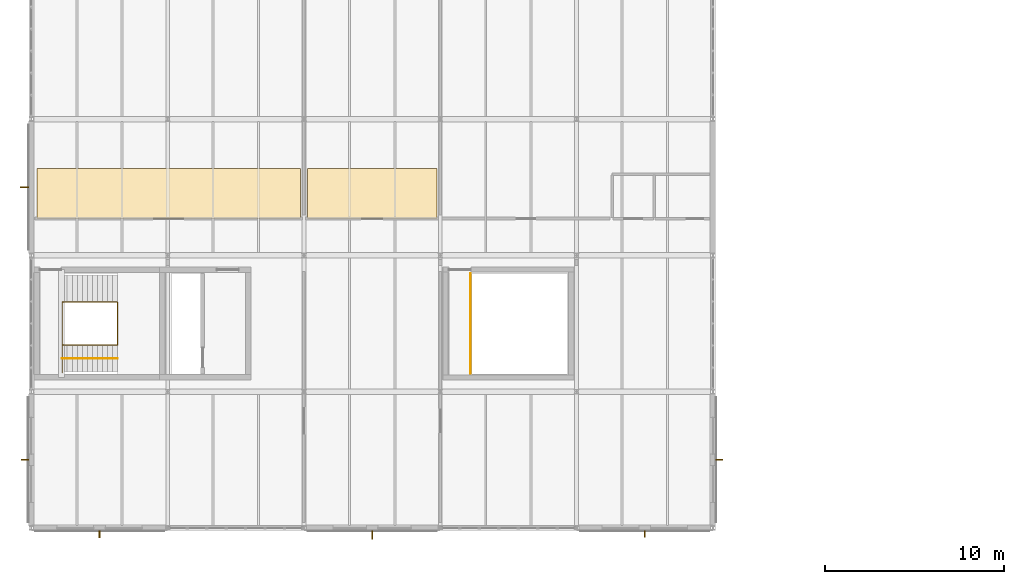
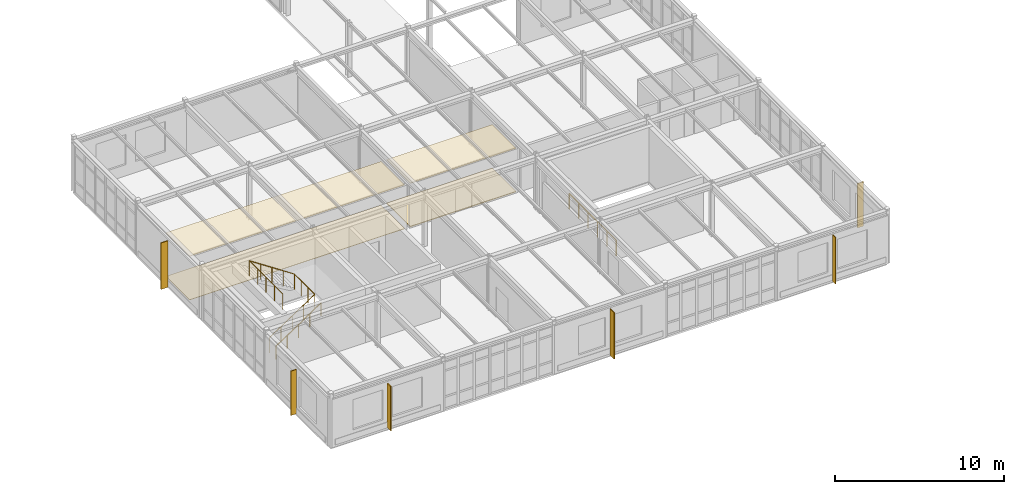
# One storey, part 178 of 189: 6 shading devices, 4 coverings, 3 railings.
"""IFC4 building model written with IfcOpenShell, lengths in metres."""

from ifc_helpers import new_model, si_unit, direction, frame, origin, origin_2d, place, context, subcontext, project, spatial, polyline, rectangle, circle, outline, extrude, material, layer, layer_set, type_object, element, save


model = new_model("IFC4")

# Units and contexts
model_context = context("Model", 3, precision=1e-05, world=origin(), true_north=direction((0.0, 1.0)))
body_context = subcontext(model_context, "Body", "Model", "MODEL_VIEW")
ifc_project = project(units=[si_unit("LENGTHUNIT", "METRE"), si_unit("AREAUNIT", "SQUARE_METRE"), si_unit("VOLUMEUNIT", "CUBIC_METRE"), si_unit("PLANEANGLEUNIT", "RADIAN"), si_unit("MASSUNIT", "GRAM", prefix="KILO")], contexts=[model_context])

# Site, building, storey
site_placement = place(None, origin())
site = spatial("IfcSite", under=ifc_project, at=site_placement, CompositionType="ELEMENT")
building_placement = place(site_placement, origin())
building = spatial("IfcBuilding", under=site, at=building_placement, Name="Montecoro Central Library", CompositionType="ELEMENT")
storey_placement = place(building_placement, frame((0.0, 0.0, 9.179931640625)))
storey = spatial("IfcBuildingStorey", under=building, at=storey_placement, Name="L02", CompositionType="ELEMENT", Elevation=9.179931640625)

# Coverings
ifc_material_1 = material(Name="Acoustic perforated mineral ceiling")
ifc_layer_1 = layer(ifc_material_1, 0.02490234375)
ifc_layer_set_1 = layer_set([ifc_layer_1], Name="Acoustic perforated mineral ceiling")
covering_type_1 = type_object("IfcCoveringType", Name="COV-CLG-01", PredefinedType="CEILING", material=ifc_layer_set_1)
covering_1_placement = place(storey_placement, frame((0.0, 0.0, 3.155029296875)))
element("IfcCovering", 1, at=covering_1_placement, inside=storey, type_object=covering_type_1, Name="CLG-SP-V3-L02-R1P1", PredefinedType="CEILING", context=body_context, shape_type="SweptSolid", body=[
    extrude(outline(polyline([(5.320068359375, 22.25), (20.010009765625, 22.25), (20.010009765625, 25.050048828125), (5.320068359375, 25.050048828125), (5.320068359375, 22.25)])), origin(), (0.0, 0.0, 1.0), 0.025146484375),
])
ifc_layer_2 = layer(ifc_material_1, 0.048095703125)
ifc_layer_set_2 = layer_set([ifc_layer_2], Name="Acoustic perforated mineral ceiling")
covering_type_2 = type_object("IfcCoveringType", Name="COV-CLG-04", PredefinedType="CEILING", material=ifc_layer_set_2)
covering_2_placement = place(storey_placement, frame((0.0, 0.0, 3.132080078125)))
element("IfcCovering", 2, at=covering_2_placement, inside=storey, type_object=covering_type_2, Name="CLG-SP-V3-L02-R2P2", PredefinedType="CEILING", context=body_context, shape_type="SweptSolid", body=[
    extrude(outline(polyline([(20.389892578125, 22.25), (27.610107421875, 22.25), (27.610107421875, 25.050048828125), (20.389892578125, 25.050048828125), (20.389892578125, 22.25)])), origin(), (0.0, 0.0, 1.0), 0.048095703125),
])
ifc_material_2 = material(Name="Neapolitan brass-inlaid terrazzo flooring")
ifc_layer_3 = layer(ifc_material_2, 0.028076171875)
ifc_layer_set_3 = layer_set([ifc_layer_3], Name="Neapolitan brass-inlaid terrazzo flooring")
covering_type_3 = type_object("IfcCoveringType", Name="COV-FLR-01", PredefinedType="FLOORING", material=ifc_layer_set_3)
covering_3_placement = place(storey_placement, origin())
element("IfcCovering", 3, at=covering_3_placement, inside=storey, type_object=covering_type_3, Name="FLR-SP-V3-L02-R1P1", PredefinedType="FLOORING", context=body_context, shape_type="SweptSolid", body=[
    extrude(outline(polyline([(5.320068359375, 22.25), (20.010009765625, 22.25), (20.010009765625, 25.050048828125), (5.320068359375, 25.050048828125), (5.320068359375, 22.25)])), origin(), (0.0, 0.0, 1.0), 0.028076171875),
])
ifc_layer_4 = layer(ifc_material_2, 0.052001953125)
ifc_layer_set_4 = layer_set([ifc_layer_4], Name="Neapolitan brass-inlaid terrazzo flooring")
covering_type_4 = type_object("IfcCoveringType", Name="COV-FLR-04", PredefinedType="FLOORING", material=ifc_layer_set_4)
covering_4_placement = place(storey_placement, origin())
element("IfcCovering", 4, at=covering_4_placement, inside=storey, type_object=covering_type_4, Name="FLR-SP-V3-L02-R2P2", PredefinedType="FLOORING", context=body_context, shape_type="SweptSolid", body=[
    extrude(outline(polyline([(20.389892578125, 22.25), (27.610107421875, 22.25), (27.610107421875, 25.050048828125), (20.389892578125, 25.050048828125), (20.389892578125, 22.25)])), origin(), (0.0, 0.0, 1.0), 0.052001953125),
])

# Railings
ifc_material_3 = material(Name="Brushed stainless steel and bronze balustrade", Category="steel")
railing_type_1 = type_object("IfcRailingType", Name="GRD-INT-110", PredefinedType="GUARDRAIL", material=ifc_material_3)
railing_1_placement = place(storey_placement, frame((6.719970703125, 15.199951171875, 0.0)))
element("IfcRailing", 5, at=railing_1_placement, inside=storey, type_object=railing_type_1, Name="C4-L02-STR-GRD", PredefinedType="GUARDRAIL", context=body_context, shape_type="SweptSolid", body=[
    extrude(circle(Radius=0.02392578125, at=origin_2d()), frame((0.0, 0.0, 1.09619140625), z_axis=(0.833713881912, 0.0, 0.552196670677), x_axis=(0.0, 1.0, 0.0)), (0.0, 0.0, 1.0), 3.6943359375),
    extrude(circle(Radius=0.02392578125, at=origin_2d()), frame((3.080078125, 0.0, 3.13623046875), z_axis=(0.0, 1.0, 0.0), x_axis=(-1.0, 0.0, 0.0)), (0.0, 0.0, 1.0), 2.400146484375),
    extrude(circle(Radius=0.02392578125, at=origin_2d()), frame((3.080078125, 2.400146484375, 3.13623046875), z_axis=(-0.833713881912, 0.0, 0.552196670677), x_axis=(0.0, -1.0, 0.0)), (0.0, 0.0, 1.0), 3.6943359375),
    extrude(circle(Radius=0.02392578125, at=origin_2d()), frame((0.0, 2.400146484375, 5.17626953125), z_axis=(0.0, -1.0, 0.0), x_axis=(1.0, 0.0, 0.0)), (0.0, 0.0, 1.0), 3.9501953125),
    extrude(circle(Radius=0.02099609375, at=origin_2d()), origin(), (0.0, 0.0, 1.0), 1.072021484375),
    extrude(circle(Radius=0.02099609375, at=origin_2d()), frame((0.77001953125, 0.0, 0.510009765625)), (0.0, 0.0, 1.0), 1.072021484375),
    extrude(circle(Radius=0.02099609375, at=origin_2d()), frame((1.5400390625, 0.0, 1.02001953125)), (0.0, 0.0, 1.0), 1.072021484375),
    extrude(circle(Radius=0.02099609375, at=origin_2d()), frame((2.31005859375, 0.0, 1.530029296875)), (0.0, 0.0, 1.0), 1.072021484375),
    extrude(circle(Radius=0.02099609375, at=origin_2d()), frame((3.080078125, 0.0, 2.0400390625)), (0.0, 0.0, 1.0), 1.072021484375),
    extrude(circle(Radius=0.02099609375, at=origin_2d()), frame((3.080078125, 0.800048828125, 2.0400390625)), (0.0, 0.0, 1.0), 1.072021484375),
    extrude(circle(Radius=0.02099609375, at=origin_2d()), frame((3.080078125, 1.60009765625, 2.0400390625)), (0.0, 0.0, 1.0), 1.072021484375),
    extrude(circle(Radius=0.02099609375, at=origin_2d()), frame((3.080078125, 2.400146484375, 2.0400390625)), (0.0, 0.0, 1.0), 1.072021484375),
    extrude(circle(Radius=0.02099609375, at=origin_2d()), frame((2.31005859375, 2.400146484375, 2.550048828125)), (0.0, 0.0, 1.0), 1.072021484375),
    extrude(circle(Radius=0.02099609375, at=origin_2d()), frame((1.5400390625, 2.400146484375, 3.06005859375)), (0.0, 0.0, 1.0), 1.072021484375),
    extrude(circle(Radius=0.02099609375, at=origin_2d()), frame((0.77001953125, 2.400146484375, 3.570068359375)), (0.0, 0.0, 1.0), 1.072021484375),
    extrude(circle(Radius=0.02099609375, at=origin_2d()), frame((0.0, 2.400146484375, 4.080078125)), (0.0, 0.0, 1.0), 1.072021484375),
    extrude(circle(Radius=0.02099609375, at=origin_2d()), frame((0.0, 1.41259765625, 4.080078125)), (0.0, 0.0, 1.0), 1.072021484375),
    extrude(circle(Radius=0.02099609375, at=origin_2d()), frame((0.0, 0.425048828125, 4.080078125)), (0.0, 0.0, 1.0), 1.072021484375),
    extrude(circle(Radius=0.02099609375, at=origin_2d()), frame((0.0, -0.5625, 4.080078125)), (0.0, 0.0, 1.0), 1.072021484375),
    extrude(circle(Radius=0.02099609375, at=origin_2d()), frame((0.0, -1.550048828125, 4.080078125)), (0.0, 0.0, 1.0), 1.072021484375),
])
railing_2_placement = place(storey_placement, frame((29.47998046875, 13.6201171875, 0.0)))
element("IfcRailing", 6, at=railing_2_placement, inside=storey, type_object=railing_type_1, Name="C11-L02-ELND-GRD", PredefinedType="GUARDRAIL", context=body_context, shape_type="SweptSolid", body=[
    extrude(circle(Radius=0.02392578125, at=origin_2d()), frame((0.0, 0.0, 1.09619140625), z_axis=(0.0, 1.0, 0.0), x_axis=(-1.0, 0.0, 0.0)), (0.0, 0.0, 1.0), 5.559814453125),
    extrude(circle(Radius=0.02099609375, at=origin_2d()), origin(), (0.0, 0.0, 1.0), 1.072021484375),
    extrude(circle(Radius=0.02099609375, at=origin_2d()), frame((0.0, 1.112060546875, 0.0)), (0.0, 0.0, 1.0), 1.072021484375),
    extrude(circle(Radius=0.02099609375, at=origin_2d()), frame((0.0, 2.223876953125, 0.0)), (0.0, 0.0, 1.0), 1.072021484375),
    extrude(circle(Radius=0.02099609375, at=origin_2d()), frame((0.0, 3.3359375, 0.0)), (0.0, 0.0, 1.0), 1.072021484375),
    extrude(circle(Radius=0.02099609375, at=origin_2d()), frame((0.0, 4.44775390625, 0.0)), (0.0, 0.0, 1.0), 1.072021484375),
    extrude(circle(Radius=0.02099609375, at=origin_2d()), frame((0.0, 5.559814453125, 0.0)), (0.0, 0.0, 1.0), 1.072021484375),
])
ifc_material_4 = material(Name="Brushed architectural bronze handrail")
railing_type_2 = type_object("IfcRailingType", Name="HRL-STR-095", PredefinedType="HANDRAIL", material=ifc_material_4)
railing_3_placement = place(storey_placement, frame((6.719970703125, 14.449951171875, 0.0)))
element("IfcRailing", 7, at=railing_3_placement, inside=storey, type_object=railing_type_2, Name="C4-L02-STR-HR1", PredefinedType="HANDRAIL", context=body_context, shape_type="SweptSolid", body=[
    extrude(circle(Radius=0.02392578125, at=origin_2d()), frame((0.0, 0.0, 0.92578125), z_axis=(0.833713881912, 0.0, 0.552196670677), x_axis=(0.0, 1.0, 0.0)), (0.0, 0.0, 1.0), 3.6943359375),
    extrude(circle(Radius=0.02099609375, at=origin_2d()), origin(), (0.0, 0.0, 1.0), 0.90185546875),
    extrude(circle(Radius=0.02099609375, at=origin_2d()), frame((0.77001953125, 0.0, 0.510009765625)), (0.0, 0.0, 1.0), 0.90185546875),
    extrude(circle(Radius=0.02099609375, at=origin_2d()), frame((1.5400390625, 0.0, 1.02001953125)), (0.0, 0.0, 1.0), 0.90185546875),
    extrude(circle(Radius=0.02099609375, at=origin_2d()), frame((2.31005859375, 0.0, 1.530029296875)), (0.0, 0.0, 1.0), 0.90185546875),
    extrude(circle(Radius=0.02099609375, at=origin_2d()), frame((3.080078125, 0.0, 2.0400390625)), (0.0, 0.0, 1.0), 0.90185546875),
])

# Shading devices
ifc_material_5 = material(Name="Architectural bronze solar fin", Category="aluminium")
shading_device_type_1 = type_object("IfcShadingDeviceType", Name="SHD-FIN-04", PredefinedType="USERDEFINED", material=ifc_material_5)
for number, where, z_axis, x_axis, name in (
    (8, (8.800048828125, 4.64697265625, 0.14013671875), (0.0, 0.0, 1.0), (1.0, 0.0, 0.0), "V3-L02-FIN-S0"),
    (9, (43.35302734375, 8.800048828125, 0.14013671875), (0.0, 0.0, 1.0), (0.0, 1.0, 0.0), "V3-L02-FIN-E0"),
    (10, (4.64697265625, 8.800048828125, 0.14013671875), (0.0, 0.0, 1.0), (0.0, -1.0, 0.0), "V3-L02-FIN-W0"),
):
    element("IfcShadingDevice", number, at=place(storey_placement, frame(where, z_axis=z_axis, x_axis=x_axis)), inside=storey, type_object=shading_device_type_1, Name=name, ObjectType="SOLAR FIN", PredefinedType="USERDEFINED", context=body_context, shape_type="SweptSolid", body=[
        extrude(rectangle(XDim=0.06005859375, YDim=0.39990234375, at=origin_2d()), origin(), (0.0, 0.0, 1.0), 3.199951171875),
    ])
shading_device_type_2 = type_object("IfcShadingDeviceType", Name="SHD-FIN-06", PredefinedType="USERDEFINED", material=ifc_material_5)
for number, where, z_axis, x_axis, name in (
    (11, (24.0, 4.60693359375, 0.06005859375), (0.0, 0.0, 1.0), (1.0, 0.0, 0.0), "V3-L02-FIN-S2"),
    (12, (4.60693359375, 24.0, 0.06005859375), (0.0, 0.0, 1.0), (0.0, -1.0, 0.0), "V3-L02-FIN-W2"),
):
    element("IfcShadingDevice", number, at=place(storey_placement, frame(where, z_axis=z_axis, x_axis=x_axis)), inside=storey, type_object=shading_device_type_2, Name=name, ObjectType="SOLAR FIN", PredefinedType="USERDEFINED", context=body_context, shape_type="SweptSolid", body=[
        extrude(rectangle(XDim=0.06005859375, YDim=0.47998046875, at=origin_2d()), origin(), (0.0, 0.0, 1.0), 3.360107421875),
    ])
shading_device_type_3 = type_object("IfcShadingDeviceType", Name="SHD-FIN-08", PredefinedType="USERDEFINED", material=ifc_material_5)
shading_device_placement = place(storey_placement, frame((39.199951171875, 4.672119140625, 0.06005859375), z_axis=(0.0, 0.0, 1.0), x_axis=(1.0, 0.0, 0.0)))
element("IfcShadingDevice", 13, at=shading_device_placement, inside=storey, type_object=shading_device_type_3, Name="V3-L02-FIN-S4", ObjectType="SOLAR FIN", PredefinedType="USERDEFINED", context=body_context, shape_type="SweptSolid", body=[
    extrude(rectangle(XDim=0.06005859375, YDim=0.35009765625, at=origin_2d()), origin(), (0.0, 0.0, 1.0), 3.360107421875),
])

save(model, "model.ifc")
